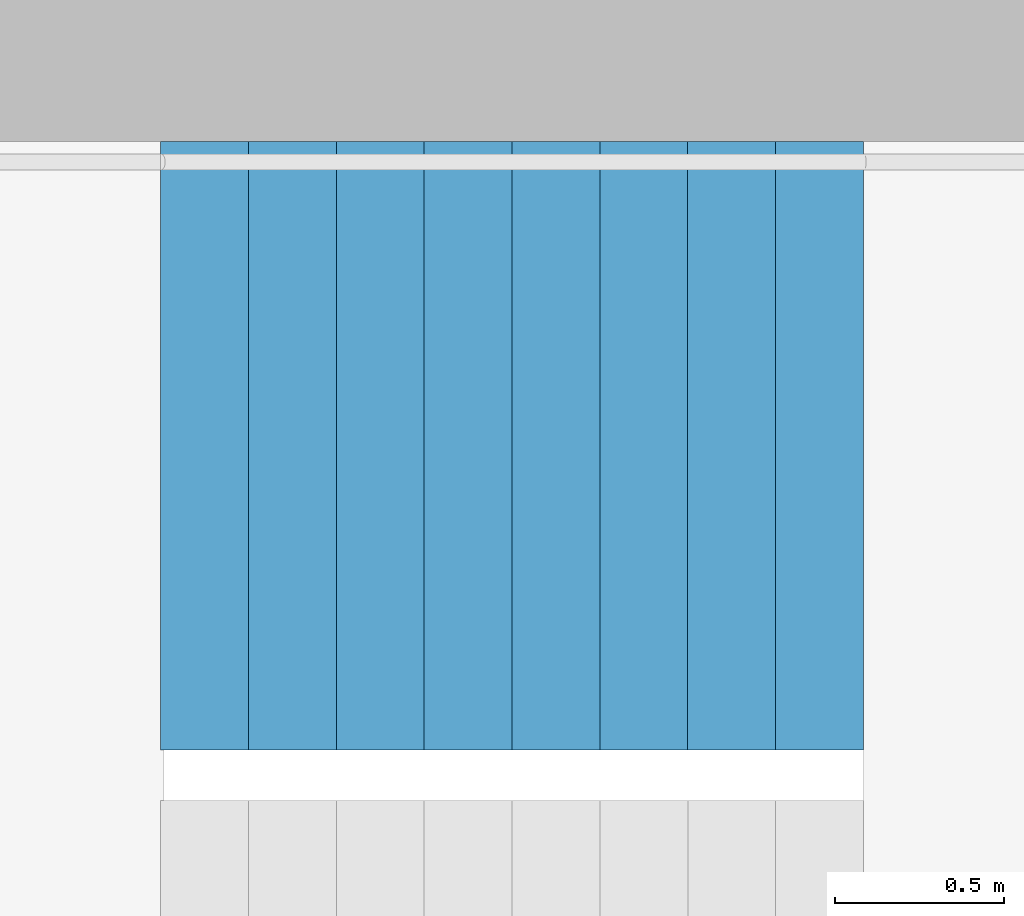
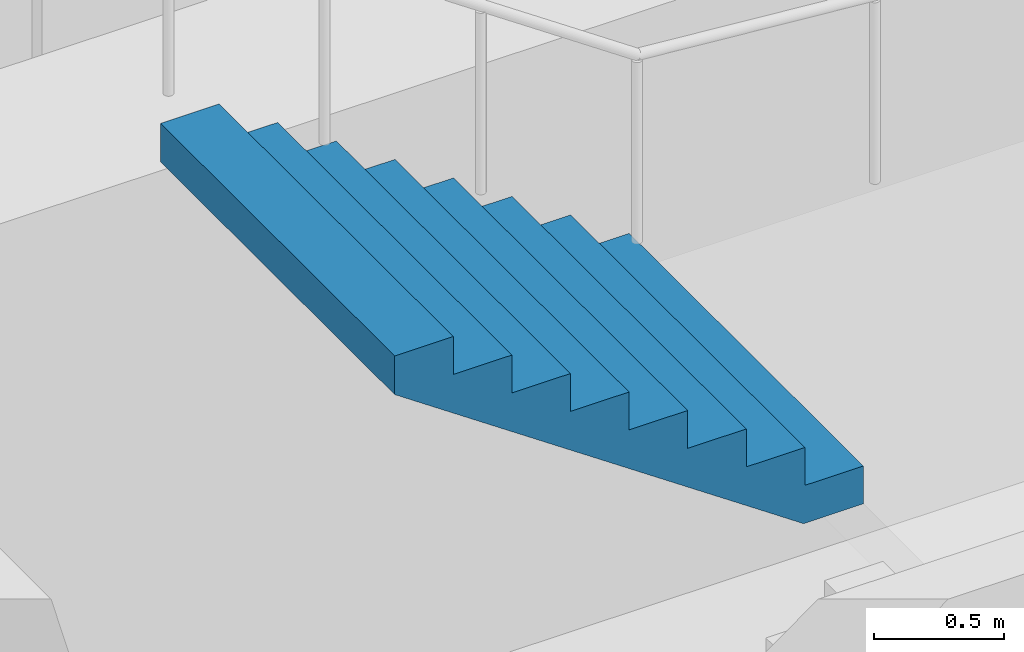
# One storey, part 24 of 29: 1 stair flight, 1 element without a shape of its own.
"""IFC4 building model written with IfcOpenShell, lengths in metres."""

import ifcopenshell
import ifcopenshell.guid

model = None  # the IFC model being written
_history = None  # IfcOwnerHistory: only IFC2X3 demands one
_inside = {}  # id of a spatial element -> (the spatial element, [elements in it])
_under = {}  # id of a project, library or spatial element -> (it, [spatial elements below it])
_declared = {}  # id of a project -> (the project, [libraries it declares])
_typed = {}  # id of a type object -> (the type object, [elements of that type])
_made_of = {}  # id of a material, layer set ... -> (it, [elements and type objects made of it])


def new_model(schema):
    """Start an empty IFC model of exactly this schema.

    Asked for "IFC4X3", IfcOpenShell would pick the latest addendum, in which some entities
    have other attributes; the version numbers below select the first issue.
    IFC2X3 requires an IfcOwnerHistory on every rooted entity: one is made here for all.
    """
    global model, _history
    if schema == "IFC4X3":
        model = ifcopenshell.file(schema_version=(4, 3, 0, 0))
    else:
        model = ifcopenshell.file(schema=schema)
    _inside.clear()
    _under.clear()
    _declared.clear()
    _typed.clear()
    _made_of.clear()
    _history = None
    if model.schema == "IFC2X3":
        org = make("IfcOrganization", Name="unknown")
        user = make(
            "IfcPersonAndOrganization",
            ThePerson=make("IfcPerson", FamilyName="unknown"),
            TheOrganization=org,
        )
        app = make(
            "IfcApplication",
            ApplicationDeveloper=org,
            Version="unknown",
            ApplicationFullName="unknown",
            ApplicationIdentifier="unknown",
        )
        _history = make(
            "IfcOwnerHistory",
            OwningUser=user,
            OwningApplication=app,
            ChangeAction="ADDED",
            CreationDate=0,
        )
    return model


def make(cls, **values):
    """One entity of the class cls with the attributes given. An attribute that is None is left unset."""
    return model.create_entity(
        cls, **{name: value for name, value in values.items() if value is not None}
    )


def rooted(cls, **values):
    """An entity with a GlobalId (a new one), such as an element, a storey or a relation."""
    return make(cls, GlobalId=ifcopenshell.guid.new(), OwnerHistory=_history, **values)


def si_unit(unit_type, name, prefix=None):
    """IfcSIUnit, for example si_unit("LENGTHUNIT", "METRE", prefix="MILLI")."""
    return make("IfcSIUnit", UnitType=unit_type, Prefix=prefix, Name=name)


def assignment(units):
    """IfcUnitAssignment: the units of a project."""
    return None if units is None else make("IfcUnitAssignment", Units=units)


def point(xyz):
    """IfcCartesianPoint."""
    return None if xyz is None else make("IfcCartesianPoint", Coordinates=xyz)


def direction(xyz):
    """IfcDirection."""
    return None if xyz is None else make("IfcDirection", DirectionRatios=xyz)


def frame(location, z_axis=None, x_axis=None):
    """IfcAxis2Placement3D, a coordinate frame: its origin and axes. An axis left out is left unset."""
    return make(
        "IfcAxis2Placement3D",
        Location=point(location),
        Axis=direction(z_axis),
        RefDirection=direction(x_axis),
    )


def origin():
    """The frame at (0, 0, 0) with its axes left unset."""
    return frame((0.0, 0.0, 0.0))


def place(relative_to, where):
    """IfcLocalPlacement: puts the frame where relative to a parent placement (None: the world)."""
    return make(
        "IfcLocalPlacement", PlacementRelTo=relative_to, RelativePlacement=where
    )


def context(
    kind, dimensions, precision=None, world=None, true_north=None, identifier=None
):
    """IfcGeometricRepresentationContext, for example the 3D "Model" context."""
    return make(
        "IfcGeometricRepresentationContext",
        ContextIdentifier=identifier,
        ContextType=kind,
        CoordinateSpaceDimension=dimensions,
        Precision=precision,
        WorldCoordinateSystem=world,
        TrueNorth=true_north,
    )


def subcontext(parent, identifier, kind, view, scale=None):
    """IfcGeometricRepresentationSubContext, for example "Body" below "Model"."""
    return make(
        "IfcGeometricRepresentationSubContext",
        ContextIdentifier=identifier,
        ContextType=kind,
        ParentContext=parent,
        TargetScale=scale,
        TargetView=view,
    )


def project(units=None, contexts=None):
    """IfcProject with its units and contexts."""
    return rooted(
        "IfcProject",
        Name="project",
        RepresentationContexts=contexts,
        UnitsInContext=assignment(units),
    )


def spatial(cls, under=None, at=None, **own):
    """A site, building, storey or space (cls), placed at a placement, below another one or the project."""
    s = rooted(cls, ObjectPlacement=at, **own)
    if under is not None:
        _under.setdefault(under.id(), (under, []))[1].append(s)
    return s


def point_list(points):
    """IfcCartesianPointList2D or 3D."""
    cls = (
        "IfcCartesianPointList2D" if len(points[0]) == 2 else "IfcCartesianPointList3D"
    )
    return make(cls, CoordList=points)


def triangles(points, corners, closed=None, point_numbers=None):
    """IfcTriangulatedFaceSet: each triangle names its three corners, points numbered from 1."""
    return make(
        "IfcTriangulatedFaceSet",
        Coordinates=point_list(points),
        Closed=closed,
        CoordIndex=corners,
        PnIndex=point_numbers,
    )


def shape(context_of_items, identifier, shape_type, items):
    """IfcShapeRepresentation: the items that make up one representation, for example the "Body"."""
    return make(
        "IfcShapeRepresentation",
        ContextOfItems=context_of_items,
        RepresentationIdentifier=identifier,
        RepresentationType=shape_type,
        Items=items,
    )


def material(Name=None, Category=None):
    """IfcMaterial."""
    return make("IfcMaterial", Name=Name, Category=Category)


def made_of(thing, what):
    """Note that an element or type object is made of a material, layer set ...; save() writes the relation."""
    if what is not None:
        _made_of.setdefault(what.id(), (what, []))[1].append(thing)
    return thing


def type_object(cls, material=None, **own):
    """A type object (cls), such as IfcWallType, which elements share."""
    return made_of(rooted(cls, **own), material)


def element(
    cls,
    number,
    at=None,
    inside=None,
    cuts=None,
    type_object=None,
    material=None,
    context=None,
    identifier="Body",
    shape_type=None,
    held_by="IfcProductDefinitionShape",
    body=None,
    shapes=None,
    **own,
):
    """One element of the class cls, such as IfcWall. Its Tag is "e" and its number.

    at: its placement. inside: the storey or other place that contains it. cuts: it is an
    opening in that element (IfcRelVoidsElement). A single representation is given by context,
    identifier, shape_type and body (its items); several are given by shapes. held_by: the class
    of the entity that holds the representations. save() writes the other relations.
    """
    e = rooted(cls, Tag="e%d" % number, ObjectPlacement=at, **own)
    if body is not None:
        shapes = [shape(context, identifier, shape_type, body)]
    if shapes is not None:
        e.Representation = make(held_by, Representations=shapes)
    if inside is not None:
        _inside.setdefault(inside.id(), (inside, []))[1].append(e)
    if cuts is not None:
        rooted(
            "IfcRelVoidsElement", RelatingBuildingElement=cuts, RelatedOpeningElement=e
        )
    if type_object is not None:
        _typed.setdefault(type_object.id(), (type_object, []))[1].append(e)
    return made_of(e, material)


def aggregate(whole, parts):
    """IfcRelAggregates: a whole, such as a stair, and the parts it consists of."""
    return rooted("IfcRelAggregates", RelatingObject=whole, RelatedObjects=parts)


def save(model, path):
    """Write the relations noted so far, then the file.

    IfcRelAggregates (storeys below a building ...), IfcRelContainedInSpatialStructure (elements
    in a storey), IfcRelDefinesByType, IfcRelAssociatesMaterial and IfcRelDeclares: one each for
    every whole, place, type object, material and project.
    """
    for whole, parts in _under.values():
        aggregate(whole, parts)
    for where, things in _inside.values():
        rooted(
            "IfcRelContainedInSpatialStructure",
            RelatedElements=things,
            RelatingStructure=where,
        )
    for kind, things in _typed.values():
        rooted("IfcRelDefinesByType", RelatedObjects=things, RelatingType=kind)
    for what, things in _made_of.values():
        rooted("IfcRelAssociatesMaterial", RelatedObjects=things, RelatingMaterial=what)
    for by, libraries in _declared.values():
        rooted("IfcRelDeclares", RelatingContext=by, RelatedDefinitions=libraries)
    model.write(path)


model = new_model("IFC4")

# Units and contexts
model_context = context("Model", 3, precision=1e-05, world=origin(), true_north=direction((0.0, 1.0)))
body_context = subcontext(model_context, "Body", "Model", "MODEL_VIEW")
ifc_project = project(units=[si_unit("LENGTHUNIT", "METRE"), si_unit("AREAUNIT", "SQUARE_METRE"), si_unit("VOLUMEUNIT", "CUBIC_METRE"), si_unit("PLANEANGLEUNIT", "RADIAN"), si_unit("MASSUNIT", "GRAM", prefix="KILO")], contexts=[model_context])

# Site, building, storey
site_placement = place(None, origin())
site = spatial("IfcSite", under=ifc_project, at=site_placement, CompositionType="ELEMENT")
building_placement = place(site_placement, origin())
building = spatial("IfcBuilding", under=site, at=building_placement, Name="Hakoniwa Tower and Hamabe Station Hall", CompositionType="ELEMENT")
storey_placement = place(building_placement, frame((0.0, 0.0, 104.199951171875)))
storey = spatial("IfcBuildingStorey", under=building, at=storey_placement, Name="L29", CompositionType="ELEMENT", Elevation=104.199951171875)

# Stair, stair flight
ifc_material_1 = material(Name="Concrete C40", Category="concrete")
stair_type = type_object("IfcStairType", Name="ESCAPE STAIR 1800", PredefinedType="HALF_TURN_STAIR", material=ifc_material_1)
stair_placement = place(storey_placement, origin())
stair = element("IfcStair", 1, at=stair_placement, inside=storey, type_object=stair_type, Name="Escape stair ST-1 L29", PredefinedType="HALF_TURN_STAIR")
ifc_material_2 = material(Name="Concrete C40", Category="concrete")
stair_flight_type = type_object("IfcStairFlightType", Name="STAIR FLIGHT 1800", PredefinedType="STRAIGHT", material=ifc_material_2)
stair_flight_placement = place(storey_placement, frame((-22.320068359375, 6.60009765625, 1.60009765625), z_axis=(0.0, 0.0, 1.0), x_axis=(-1.0, 0.0, 0.0)))
stair_flight = element("IfcStairFlight", 2, at=stair_flight_placement, type_object=stair_flight_type, Name="ST-1 flight 2", NumberOfRisers=9, NumberOfTreads=8, PredefinedType="STRAIGHT", RiserHeight=0.177777778, TreadLength=0.26, context=body_context, shape_type="Tessellation", body=[
    triangles([(0.0, 0.89990234375, 0.0), (0.260009765625, 0.89990234375, 0.0), (0.265625, 0.89990234375, 0.0), (0.52001953125, 0.89990234375, 0.174072265625), (0.780029296875, 0.89990234375, 0.351806640625), (1.0400390625, 0.89990234375, 0.529541015625), (1.300048828125, 0.89990234375, 0.707275390625), (1.56005859375, 0.89990234375, 0.885009765625), (1.820068359375, 0.89990234375, 1.062744140625), (2.080078125, 0.89990234375, 1.24072265625), (2.080078125, 0.89990234375, 1.422119140625), (1.820068359375, 0.89990234375, 1.422119140625), (1.820068359375, 0.89990234375, 1.244384765625), (1.56005859375, 0.89990234375, 1.244384765625), (1.56005859375, 0.89990234375, 1.066650390625), (1.300048828125, 0.89990234375, 1.066650390625), (1.300048828125, 0.89990234375, 0.888916015625), (1.0400390625, 0.89990234375, 0.888916015625), (1.0400390625, 0.89990234375, 0.711181640625), (0.780029296875, 0.89990234375, 0.711181640625), (0.780029296875, 0.89990234375, 0.533447265625), (0.52001953125, 0.89990234375, 0.533447265625), (0.52001953125, 0.89990234375, 0.35546875), (0.265625, 0.89990234375, 0.35546875), (0.260009765625, 0.89990234375, 0.35546875), (0.260009765625, 0.89990234375, 0.177734375), (0.0, 0.89990234375, 0.177734375), (0.0, 0.06005859375, 0.0), (0.260009765625, 0.06005859375, 0.0), (0.265625, 0.06005859375, 0.0), (0.52001953125, 0.06005859375, 0.174072265625), (0.780029296875, 0.06005859375, 0.351806640625), (1.0400390625, 0.06005859375, 0.529541015625), (1.300048828125, 0.06005859375, 0.707275390625), (1.56005859375, 0.06005859375, 0.885009765625), (1.820068359375, 0.06005859375, 1.062744140625), (2.080078125, 0.06005859375, 1.24072265625), (2.080078125, 0.06005859375, 1.422119140625), (1.820068359375, 0.06005859375, 1.422119140625), (1.820068359375, 0.06005859375, 1.244384765625), (1.56005859375, 0.06005859375, 1.244384765625), (1.56005859375, 0.06005859375, 1.066650390625), (1.300048828125, 0.06005859375, 1.066650390625), (1.300048828125, 0.06005859375, 0.888916015625), (1.0400390625, 0.06005859375, 0.888916015625), (1.0400390625, 0.06005859375, 0.711181640625), (0.780029296875, 0.06005859375, 0.711181640625), (0.780029296875, 0.06005859375, 0.533447265625), (0.52001953125, 0.06005859375, 0.533447265625), (0.52001953125, 0.06005859375, 0.35546875), (0.265625, 0.06005859375, 0.35546875), (0.260009765625, 0.06005859375, 0.35546875), (0.260009765625, 0.06005859375, 0.177734375), (0.0, 0.06005859375, 0.177734375), (0.0, 0.04296875, 0.0), (0.260009765625, 0.04296875, 0.0), (0.265625, 0.04296875, 0.0), (0.52001953125, 0.04296875, 0.174072265625), (0.780029296875, 0.04296875, 0.351806640625), (1.0400390625, 0.04296875, 0.529541015625), (1.300048828125, 0.04296875, 0.707275390625), (1.56005859375, 0.04296875, 0.885009765625), (1.820068359375, 0.04296875, 1.062744140625), (2.080078125, 0.04296875, 1.24072265625), (2.080078125, 0.04296875, 1.422119140625), (1.820068359375, 0.04296875, 1.422119140625), (1.820068359375, 0.04296875, 1.244384765625), (1.56005859375, 0.04296875, 1.244384765625), (1.56005859375, 0.04296875, 1.066650390625), (1.300048828125, 0.04296875, 1.066650390625), (1.300048828125, 0.04296875, 0.888916015625), (1.0400390625, 0.04296875, 0.888916015625), (1.0400390625, 0.04296875, 0.711181640625), (0.780029296875, 0.04296875, 0.711181640625), (0.780029296875, 0.04296875, 0.533447265625), (0.52001953125, 0.04296875, 0.533447265625), (0.52001953125, 0.04296875, 0.35546875), (0.265625, 0.04296875, 0.35546875), (0.260009765625, 0.04296875, 0.35546875), (0.260009765625, 0.04296875, 0.177734375), (0.0, 0.04296875, 0.177734375), (0.0, 0.025634765625, 0.0), (0.260009765625, 0.025634765625, 0.0), (0.265625, 0.025634765625, 0.0), (0.52001953125, 0.025634765625, 0.174072265625), (0.780029296875, 0.025634765625, 0.351806640625), (1.0400390625, 0.025634765625, 0.529541015625), (1.300048828125, 0.025634765625, 0.707275390625), (1.56005859375, 0.025634765625, 0.885009765625), (1.820068359375, 0.025634765625, 1.062744140625), (2.080078125, 0.025634765625, 1.24072265625), (2.080078125, 0.025634765625, 1.422119140625), (1.820068359375, 0.025634765625, 1.422119140625), (1.820068359375, 0.025634765625, 1.244384765625), (1.56005859375, 0.025634765625, 1.244384765625), (1.56005859375, 0.025634765625, 1.066650390625), (1.300048828125, 0.025634765625, 1.066650390625), (1.300048828125, 0.025634765625, 0.888916015625), (1.0400390625, 0.025634765625, 0.888916015625), (1.0400390625, 0.025634765625, 0.711181640625), (0.780029296875, 0.025634765625, 0.711181640625), (0.780029296875, 0.025634765625, 0.533447265625), (0.52001953125, 0.025634765625, 0.533447265625), (0.52001953125, 0.025634765625, 0.35546875), (0.265625, 0.025634765625, 0.35546875), (0.260009765625, 0.025634765625, 0.35546875), (0.260009765625, 0.025634765625, 0.177734375), (0.0, 0.025634765625, 0.177734375), (0.0, 0.008544921875, 0.0), (0.260009765625, 0.008544921875, 0.0), (0.265625, 0.008544921875, 0.0), (0.52001953125, 0.008544921875, 0.174072265625), (0.780029296875, 0.008544921875, 0.351806640625), (1.0400390625, 0.008544921875, 0.529541015625), (1.300048828125, 0.008544921875, 0.707275390625), (1.56005859375, 0.008544921875, 0.885009765625), (1.820068359375, 0.008544921875, 1.062744140625), (2.080078125, 0.008544921875, 1.24072265625), (2.080078125, 0.008544921875, 1.422119140625), (1.820068359375, 0.008544921875, 1.422119140625), (1.820068359375, 0.008544921875, 1.244384765625), (1.56005859375, 0.008544921875, 1.244384765625), (1.56005859375, 0.008544921875, 1.066650390625), (1.300048828125, 0.008544921875, 1.066650390625), (1.300048828125, 0.008544921875, 0.888916015625), (1.0400390625, 0.008544921875, 0.888916015625), (1.0400390625, 0.008544921875, 0.711181640625), (0.780029296875, 0.008544921875, 0.711181640625), (0.780029296875, 0.008544921875, 0.533447265625), (0.52001953125, 0.008544921875, 0.533447265625), (0.52001953125, 0.008544921875, 0.35546875), (0.265625, 0.008544921875, 0.35546875), (0.260009765625, 0.008544921875, 0.35546875), (0.260009765625, 0.008544921875, 0.177734375), (0.0, 0.008544921875, 0.177734375), (0.0, -0.008544921875, 0.0), (0.260009765625, -0.008544921875, 0.0), (0.265625, -0.008544921875, 0.0), (0.52001953125, -0.008544921875, 0.174072265625), (0.780029296875, -0.008544921875, 0.351806640625), (1.0400390625, -0.008544921875, 0.529541015625), (1.300048828125, -0.008544921875, 0.707275390625), (1.56005859375, -0.008544921875, 0.885009765625), (1.820068359375, -0.008544921875, 1.062744140625), (2.080078125, -0.008544921875, 1.24072265625), (2.080078125, -0.008544921875, 1.422119140625), (1.820068359375, -0.008544921875, 1.422119140625), (1.820068359375, -0.008544921875, 1.244384765625), (1.56005859375, -0.008544921875, 1.244384765625), (1.56005859375, -0.008544921875, 1.066650390625), (1.300048828125, -0.008544921875, 1.066650390625), (1.300048828125, -0.008544921875, 0.888916015625), (1.0400390625, -0.008544921875, 0.888916015625), (1.0400390625, -0.008544921875, 0.711181640625), (0.780029296875, -0.008544921875, 0.711181640625), (0.780029296875, -0.008544921875, 0.533447265625), (0.52001953125, -0.008544921875, 0.533447265625), (0.52001953125, -0.008544921875, 0.35546875), (0.265625, -0.008544921875, 0.35546875), (0.260009765625, -0.008544921875, 0.35546875), (0.260009765625, -0.008544921875, 0.177734375), (0.0, -0.008544921875, 0.177734375), (0.0, -0.025634765625, 0.0), (0.260009765625, -0.025634765625, 0.0), (0.265625, -0.025634765625, 0.0), (0.52001953125, -0.025634765625, 0.174072265625), (0.780029296875, -0.025634765625, 0.351806640625), (1.0400390625, -0.025634765625, 0.529541015625), (1.300048828125, -0.025634765625, 0.707275390625), (1.56005859375, -0.025634765625, 0.885009765625), (1.820068359375, -0.025634765625, 1.062744140625), (2.080078125, -0.025634765625, 1.24072265625), (2.080078125, -0.025634765625, 1.422119140625), (1.820068359375, -0.025634765625, 1.422119140625), (1.820068359375, -0.025634765625, 1.244384765625), (1.56005859375, -0.025634765625, 1.244384765625), (1.56005859375, -0.025634765625, 1.066650390625), (1.300048828125, -0.025634765625, 1.066650390625), (1.300048828125, -0.025634765625, 0.888916015625), (1.0400390625, -0.025634765625, 0.888916015625), (1.0400390625, -0.025634765625, 0.711181640625), (0.780029296875, -0.025634765625, 0.711181640625), (0.780029296875, -0.025634765625, 0.533447265625), (0.52001953125, -0.025634765625, 0.533447265625), (0.52001953125, -0.025634765625, 0.35546875), (0.265625, -0.025634765625, 0.35546875), (0.260009765625, -0.025634765625, 0.35546875), (0.260009765625, -0.025634765625, 0.177734375), (0.0, -0.025634765625, 0.177734375), (0.0, -0.04296875, 0.0), (0.260009765625, -0.04296875, 0.0), (0.265625, -0.04296875, 0.0), (0.52001953125, -0.04296875, 0.174072265625), (0.780029296875, -0.04296875, 0.351806640625), (1.0400390625, -0.04296875, 0.529541015625), (1.300048828125, -0.04296875, 0.707275390625), (1.56005859375, -0.04296875, 0.885009765625), (1.820068359375, -0.04296875, 1.062744140625), (2.080078125, -0.04296875, 1.24072265625), (2.080078125, -0.04296875, 1.422119140625), (1.820068359375, -0.04296875, 1.422119140625), (1.820068359375, -0.04296875, 1.244384765625), (1.56005859375, -0.04296875, 1.244384765625), (1.56005859375, -0.04296875, 1.066650390625), (1.300048828125, -0.04296875, 1.066650390625), (1.300048828125, -0.04296875, 0.888916015625), (1.0400390625, -0.04296875, 0.888916015625), (1.0400390625, -0.04296875, 0.711181640625), (0.780029296875, -0.04296875, 0.711181640625), (0.780029296875, -0.04296875, 0.533447265625), (0.52001953125, -0.04296875, 0.533447265625), (0.52001953125, -0.04296875, 0.35546875), (0.265625, -0.04296875, 0.35546875), (0.260009765625, -0.04296875, 0.35546875), (0.260009765625, -0.04296875, 0.177734375), (0.0, -0.04296875, 0.177734375), (0.0, -0.06005859375, 0.0), (0.260009765625, -0.06005859375, 0.0), (0.265625, -0.06005859375, 0.0), (0.52001953125, -0.06005859375, 0.174072265625), (0.780029296875, -0.06005859375, 0.351806640625), (1.0400390625, -0.06005859375, 0.529541015625), (1.300048828125, -0.06005859375, 0.707275390625), (1.56005859375, -0.06005859375, 0.885009765625), (1.820068359375, -0.06005859375, 1.062744140625), (2.080078125, -0.06005859375, 1.24072265625), (2.080078125, -0.06005859375, 1.422119140625), (1.820068359375, -0.06005859375, 1.422119140625), (1.820068359375, -0.06005859375, 1.244384765625), (1.56005859375, -0.06005859375, 1.244384765625), (1.56005859375, -0.06005859375, 1.066650390625), (1.300048828125, -0.06005859375, 1.066650390625), (1.300048828125, -0.06005859375, 0.888916015625), (1.0400390625, -0.06005859375, 0.888916015625), (1.0400390625, -0.06005859375, 0.711181640625), (0.780029296875, -0.06005859375, 0.711181640625), (0.780029296875, -0.06005859375, 0.533447265625), (0.52001953125, -0.06005859375, 0.533447265625), (0.52001953125, -0.06005859375, 0.35546875), (0.265625, -0.06005859375, 0.35546875), (0.260009765625, -0.06005859375, 0.35546875), (0.260009765625, -0.06005859375, 0.177734375), (0.0, -0.06005859375, 0.177734375), (0.0, -0.89990234375, 0.0), (0.260009765625, -0.89990234375, 0.0), (0.265625, -0.89990234375, 0.0), (0.52001953125, -0.89990234375, 0.174072265625), (0.780029296875, -0.89990234375, 0.351806640625), (1.0400390625, -0.89990234375, 0.529541015625), (1.300048828125, -0.89990234375, 0.707275390625), (1.56005859375, -0.89990234375, 0.885009765625), (1.820068359375, -0.89990234375, 1.062744140625), (2.080078125, -0.89990234375, 1.24072265625), (2.080078125, -0.89990234375, 1.422119140625), (1.820068359375, -0.89990234375, 1.422119140625), (1.820068359375, -0.89990234375, 1.244384765625), (1.56005859375, -0.89990234375, 1.244384765625), (1.56005859375, -0.89990234375, 1.066650390625), (1.300048828125, -0.89990234375, 1.066650390625), (1.300048828125, -0.89990234375, 0.888916015625), (1.0400390625, -0.89990234375, 0.888916015625), (1.0400390625, -0.89990234375, 0.711181640625), (0.780029296875, -0.89990234375, 0.711181640625), (0.780029296875, -0.89990234375, 0.533447265625), (0.52001953125, -0.89990234375, 0.533447265625), (0.52001953125, -0.89990234375, 0.35546875), (0.265625, -0.89990234375, 0.35546875), (0.260009765625, -0.89990234375, 0.35546875), (0.260009765625, -0.89990234375, 0.177734375), (0.0, -0.89990234375, 0.177734375)], [[2, 27, 26], [245, 269, 270], [2, 1, 27], [245, 270, 244], [3, 25, 24], [246, 267, 268], [3, 26, 25], [246, 268, 269], [3, 2, 26], [246, 269, 245], [4, 24, 23], [247, 266, 267], [4, 3, 24], [247, 267, 246], [5, 22, 21], [248, 264, 265], [5, 23, 22], [248, 265, 266], [5, 4, 23], [248, 266, 247], [6, 20, 19], [249, 262, 263], [6, 21, 20], [249, 263, 264], [6, 5, 21], [249, 264, 248], [7, 18, 17], [250, 260, 261], [7, 19, 18], [250, 261, 262], [7, 6, 19], [250, 262, 249], [8, 16, 15], [251, 258, 259], [8, 17, 16], [251, 259, 260], [8, 7, 17], [251, 260, 250], [9, 14, 13], [252, 256, 257], [9, 15, 14], [252, 257, 258], [9, 8, 15], [252, 258, 251], [10, 12, 11], [253, 254, 255], [10, 13, 12], [253, 255, 256], [10, 9, 13], [253, 256, 252], [1, 2, 29], [1, 29, 28], [28, 29, 56], [28, 56, 55], [55, 56, 83], [55, 83, 82], [82, 83, 110], [82, 110, 109], [109, 110, 137], [109, 137, 136], [136, 137, 164], [136, 164, 163], [163, 164, 191], [163, 191, 190], [190, 191, 218], [190, 218, 217], [217, 218, 245], [217, 245, 244], [2, 3, 30], [2, 30, 29], [29, 30, 57], [29, 57, 56], [56, 57, 84], [56, 84, 83], [83, 84, 111], [83, 111, 110], [110, 111, 138], [110, 138, 137], [137, 138, 165], [137, 165, 164], [164, 165, 192], [164, 192, 191], [191, 192, 219], [191, 219, 218], [218, 219, 246], [218, 246, 245], [3, 4, 31], [3, 31, 30], [30, 31, 58], [30, 58, 57], [57, 58, 85], [57, 85, 84], [84, 85, 112], [84, 112, 111], [111, 112, 139], [111, 139, 138], [138, 139, 166], [138, 166, 165], [165, 166, 193], [165, 193, 192], [192, 193, 220], [192, 220, 219], [219, 220, 247], [219, 247, 246], [4, 5, 32], [4, 32, 31], [31, 32, 59], [31, 59, 58], [58, 59, 86], [58, 86, 85], [85, 86, 113], [85, 113, 112], [112, 113, 140], [112, 140, 139], [139, 140, 167], [139, 167, 166], [166, 167, 194], [166, 194, 193], [193, 194, 221], [193, 221, 220], [220, 221, 248], [220, 248, 247], [5, 6, 33], [5, 33, 32], [32, 33, 60], [32, 60, 59], [59, 60, 87], [59, 87, 86], [86, 87, 114], [86, 114, 113], [113, 114, 141], [113, 141, 140], [140, 141, 168], [140, 168, 167], [167, 168, 195], [167, 195, 194], [194, 195, 222], [194, 222, 221], [221, 222, 249], [221, 249, 248], [6, 7, 34], [6, 34, 33], [33, 34, 61], [33, 61, 60], [60, 61, 88], [60, 88, 87], [87, 88, 115], [87, 115, 114], [114, 115, 142], [114, 142, 141], [141, 142, 169], [141, 169, 168], [168, 169, 196], [168, 196, 195], [195, 196, 223], [195, 223, 222], [222, 223, 250], [222, 250, 249], [7, 8, 35], [7, 35, 34], [34, 35, 62], [34, 62, 61], [61, 62, 89], [61, 89, 88], [88, 89, 116], [88, 116, 115], [115, 116, 143], [115, 143, 142], [142, 143, 170], [142, 170, 169], [169, 170, 197], [169, 197, 196], [196, 197, 224], [196, 224, 223], [223, 224, 251], [223, 251, 250], [8, 9, 36], [8, 36, 35], [35, 36, 63], [35, 63, 62], [62, 63, 90], [62, 90, 89], [89, 90, 117], [89, 117, 116], [116, 117, 144], [116, 144, 143], [143, 144, 171], [143, 171, 170], [170, 171, 198], [170, 198, 197], [197, 198, 225], [197, 225, 224], [224, 225, 252], [224, 252, 251], [9, 10, 37], [9, 37, 36], [36, 37, 64], [36, 64, 63], [63, 64, 91], [63, 91, 90], [90, 91, 118], [90, 118, 117], [117, 118, 145], [117, 145, 144], [144, 145, 172], [144, 172, 171], [171, 172, 199], [171, 199, 198], [198, 199, 226], [198, 226, 225], [225, 226, 253], [225, 253, 252], [10, 11, 38], [10, 38, 37], [37, 38, 65], [37, 65, 64], [64, 65, 92], [64, 92, 91], [91, 92, 119], [91, 119, 118], [118, 119, 146], [118, 146, 145], [145, 146, 173], [145, 173, 172], [172, 173, 200], [172, 200, 199], [199, 200, 227], [199, 227, 226], [226, 227, 254], [226, 254, 253], [11, 12, 39], [11, 39, 38], [38, 39, 66], [38, 66, 65], [65, 66, 93], [65, 93, 92], [92, 93, 120], [92, 120, 119], [119, 120, 147], [119, 147, 146], [146, 147, 174], [146, 174, 173], [173, 174, 201], [173, 201, 200], [200, 201, 228], [200, 228, 227], [227, 228, 255], [227, 255, 254], [12, 13, 40], [12, 40, 39], [39, 40, 67], [39, 67, 66], [66, 67, 94], [66, 94, 93], [93, 94, 121], [93, 121, 120], [120, 121, 148], [120, 148, 147], [147, 148, 175], [147, 175, 174], [174, 175, 202], [174, 202, 201], [201, 202, 229], [201, 229, 228], [228, 229, 256], [228, 256, 255], [13, 14, 41], [13, 41, 40], [40, 41, 68], [40, 68, 67], [67, 68, 95], [67, 95, 94], [94, 95, 122], [94, 122, 121], [121, 122, 149], [121, 149, 148], [148, 149, 176], [148, 176, 175], [175, 176, 203], [175, 203, 202], [202, 203, 230], [202, 230, 229], [229, 230, 257], [229, 257, 256], [14, 15, 42], [14, 42, 41], [41, 42, 69], [41, 69, 68], [68, 69, 96], [68, 96, 95], [95, 96, 123], [95, 123, 122], [122, 123, 150], [122, 150, 149], [149, 150, 177], [149, 177, 176], [176, 177, 204], [176, 204, 203], [203, 204, 231], [203, 231, 230], [230, 231, 258], [230, 258, 257], [15, 16, 43], [15, 43, 42], [42, 43, 70], [42, 70, 69], [69, 70, 97], [69, 97, 96], [96, 97, 124], [96, 124, 123], [123, 124, 151], [123, 151, 150], [150, 151, 178], [150, 178, 177], [177, 178, 205], [177, 205, 204], [204, 205, 232], [204, 232, 231], [231, 232, 259], [231, 259, 258], [16, 17, 44], [16, 44, 43], [43, 44, 71], [43, 71, 70], [70, 71, 98], [70, 98, 97], [97, 98, 125], [97, 125, 124], [124, 125, 152], [124, 152, 151], [151, 152, 179], [151, 179, 178], [178, 179, 206], [178, 206, 205], [205, 206, 233], [205, 233, 232], [232, 233, 260], [232, 260, 259], [17, 18, 45], [17, 45, 44], [44, 45, 72], [44, 72, 71], [71, 72, 99], [71, 99, 98], [98, 99, 126], [98, 126, 125], [125, 126, 153], [125, 153, 152], [152, 153, 180], [152, 180, 179], [179, 180, 207], [179, 207, 206], [206, 207, 234], [206, 234, 233], [233, 234, 261], [233, 261, 260], [18, 19, 46], [18, 46, 45], [45, 46, 73], [45, 73, 72], [72, 73, 100], [72, 100, 99], [99, 100, 127], [99, 127, 126], [126, 127, 154], [126, 154, 153], [153, 154, 181], [153, 181, 180], [180, 181, 208], [180, 208, 207], [207, 208, 235], [207, 235, 234], [234, 235, 262], [234, 262, 261], [19, 20, 47], [19, 47, 46], [46, 47, 74], [46, 74, 73], [73, 74, 101], [73, 101, 100], [100, 101, 128], [100, 128, 127], [127, 128, 155], [127, 155, 154], [154, 155, 182], [154, 182, 181], [181, 182, 209], [181, 209, 208], [208, 209, 236], [208, 236, 235], [235, 236, 263], [235, 263, 262], [20, 21, 48], [20, 48, 47], [47, 48, 75], [47, 75, 74], [74, 75, 102], [74, 102, 101], [101, 102, 129], [101, 129, 128], [128, 129, 156], [128, 156, 155], [155, 156, 183], [155, 183, 182], [182, 183, 210], [182, 210, 209], [209, 210, 237], [209, 237, 236], [236, 237, 264], [236, 264, 263], [21, 22, 49], [21, 49, 48], [48, 49, 76], [48, 76, 75], [75, 76, 103], [75, 103, 102], [102, 103, 130], [102, 130, 129], [129, 130, 157], [129, 157, 156], [156, 157, 184], [156, 184, 183], [183, 184, 211], [183, 211, 210], [210, 211, 238], [210, 238, 237], [237, 238, 265], [237, 265, 264], [22, 23, 50], [22, 50, 49], [49, 50, 77], [49, 77, 76], [76, 77, 104], [76, 104, 103], [103, 104, 131], [103, 131, 130], [130, 131, 158], [130, 158, 157], [157, 158, 185], [157, 185, 184], [184, 185, 212], [184, 212, 211], [211, 212, 239], [211, 239, 238], [238, 239, 266], [238, 266, 265], [23, 24, 51], [23, 51, 50], [50, 51, 78], [50, 78, 77], [77, 78, 105], [77, 105, 104], [104, 105, 132], [104, 132, 131], [131, 132, 159], [131, 159, 158], [158, 159, 186], [158, 186, 185], [185, 186, 213], [185, 213, 212], [212, 213, 240], [212, 240, 239], [239, 240, 267], [239, 267, 266], [24, 25, 52], [24, 52, 51], [51, 52, 79], [51, 79, 78], [78, 79, 106], [78, 106, 105], [105, 106, 133], [105, 133, 132], [132, 133, 160], [132, 160, 159], [159, 160, 187], [159, 187, 186], [186, 187, 214], [186, 214, 213], [213, 214, 241], [213, 241, 240], [240, 241, 268], [240, 268, 267], [25, 26, 53], [25, 53, 52], [52, 53, 80], [52, 80, 79], [79, 80, 107], [79, 107, 106], [106, 107, 134], [106, 134, 133], [133, 134, 161], [133, 161, 160], [160, 161, 188], [160, 188, 187], [187, 188, 215], [187, 215, 214], [214, 215, 242], [214, 242, 241], [241, 242, 269], [241, 269, 268], [26, 27, 54], [26, 54, 53], [53, 54, 81], [53, 81, 80], [80, 81, 108], [80, 108, 107], [107, 108, 135], [107, 135, 134], [134, 135, 162], [134, 162, 161], [161, 162, 189], [161, 189, 188], [188, 189, 216], [188, 216, 215], [215, 216, 243], [215, 243, 242], [242, 243, 270], [242, 270, 269], [27, 1, 28], [27, 28, 54], [54, 28, 55], [54, 55, 81], [81, 55, 82], [81, 82, 108], [108, 82, 109], [108, 109, 135], [135, 109, 136], [135, 136, 162], [162, 136, 163], [162, 163, 189], [189, 163, 190], [189, 190, 216], [216, 190, 217], [216, 217, 243], [243, 217, 244], [243, 244, 270]], closed=True),
])
aggregate(stair, [stair_flight])

save(model, "model.ifc")
